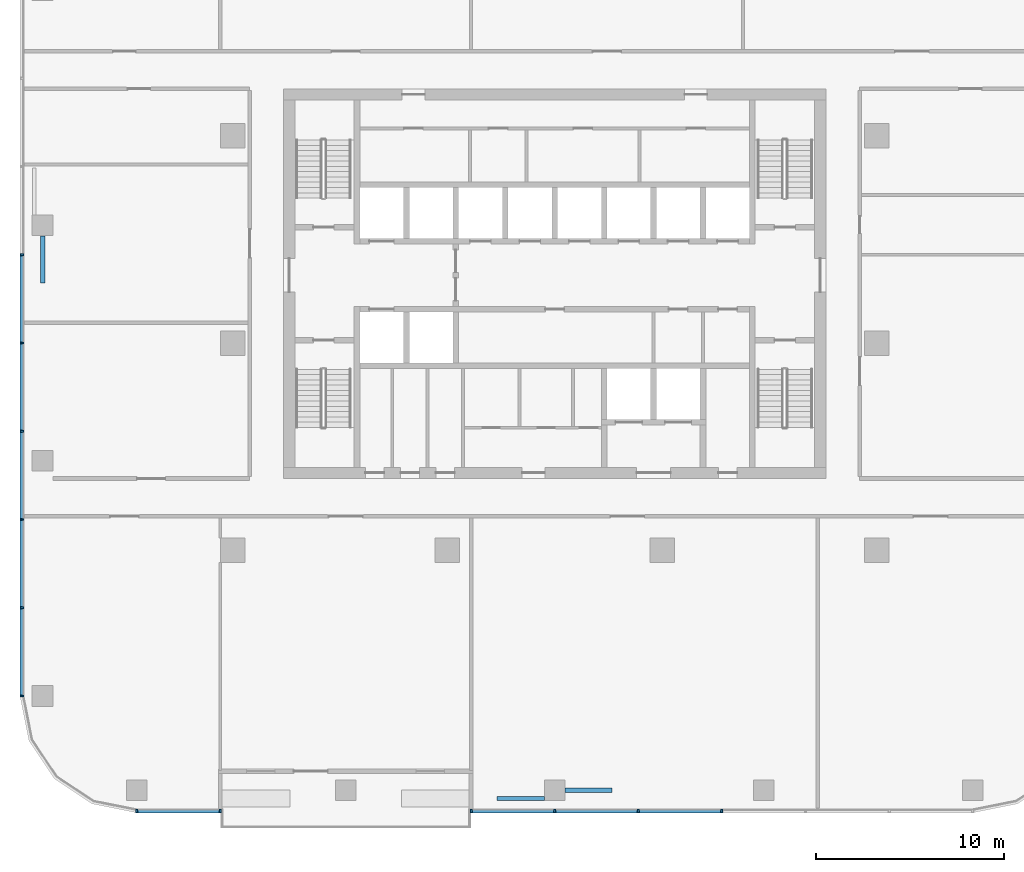
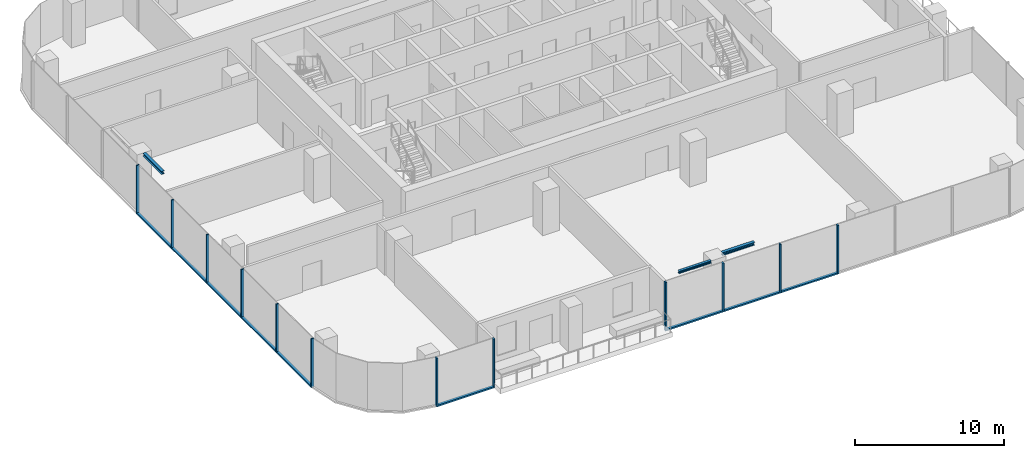
# One storey, part 2 of 14: 21 members, 3 beams, 3 elements without a shape of their own.
"""IFC4 building model written with IfcOpenShell, lengths in metres."""

from ifc_helpers import new_model, si_unit, direction, frame, origin, origin_2d, place, context, subcontext, project, spatial, rectangle, i_section, extrude, material, material_profile, profile_set, type_object, element, aggregate, save


model = new_model("IFC4")

# Units and contexts
model_context = context("Model", 3, precision=1e-05, world=origin(), true_north=direction((0.0, 1.0)))
body_context = subcontext(model_context, "Body", "Model", "MODEL_VIEW")
ifc_project = project(units=[si_unit("LENGTHUNIT", "METRE"), si_unit("AREAUNIT", "SQUARE_METRE"), si_unit("VOLUMEUNIT", "CUBIC_METRE"), si_unit("PLANEANGLEUNIT", "RADIAN"), si_unit("MASSUNIT", "GRAM", prefix="KILO")], contexts=[model_context])

# Site, building, storey
site_placement = place(None, origin())
site = spatial("IfcSite", under=ifc_project, at=site_placement, CompositionType="ELEMENT")
building_placement = place(site_placement, origin())
building = spatial("IfcBuilding", under=site, at=building_placement, Name="Mopane Tessera Tower", CompositionType="ELEMENT")
storey_placement = place(building_placement, frame((0.0, 0.0, 231.0)))
storey = spatial("IfcBuildingStorey", under=building, at=storey_placement, Name="L49", CompositionType="ELEMENT", Elevation=231.0)

# Curtain wall, members
ifc_material_1 = material(Name="Aluminium frame", Category="aluminium")
curtain_wall_type = type_object("IfcCurtainWallType", Name="Unitised curtain wall", PredefinedType="NOTDEFINED", material=ifc_material_1)
curtain_wall_1_placement = place(storey_placement, origin())
curtain_wall_1 = element("IfcCurtainWall", 1, at=curtain_wall_1_placement, inside=storey, type_object=curtain_wall_type, Name="e:cw:L49:S:0", PredefinedType="NOTDEFINED")
ifc_material_2 = material(Name="Aluminium frame", Category="aluminium")
ifc_material_profile_1 = material_profile(ifc_material_2, rectangle(XDim=0.10009765625, YDim=0.199951171875, at=origin_2d()))
ifc_profile_set_1 = profile_set([ifc_material_profile_1], Name="Aluminium frame")
member_type_1 = type_object("IfcMemberType", Name="Aluminium mullion 100 x 200", PredefinedType="MULLION", material=ifc_profile_set_1)
member_1_placement = place(storey_placement, frame((-22.199951171875, -24.85009765625, -0.39990234375), z_axis=(0.0, 0.0, 1.0), x_axis=(1.0, 0.0, 0.0)))
member_1 = element("IfcMember", 2, at=member_1_placement, type_object=member_type_1, Name="e:cw:L49:S:0:mu0", PredefinedType="MULLION", context=body_context, shape_type="SweptSolid", body=[
    extrude(rectangle(XDim=0.10009765625, YDim=0.199951171875, at=origin_2d()), origin(), (0.0, 0.0, 1.0), 4.0),
])
member_2_placement = place(storey_placement, frame((-17.760009765625, -24.85009765625, -0.39990234375), z_axis=(0.0, 0.0, 1.0), x_axis=(1.0, 0.0, 0.0)))
member_2 = element("IfcMember", 3, at=member_2_placement, type_object=member_type_1, Name="e:cw:L49:S:0:mu1", PredefinedType="MULLION", context=body_context, shape_type="SweptSolid", body=[
    extrude(rectangle(XDim=0.10009765625, YDim=0.199951171875, at=origin_2d()), origin(), (0.0, 0.0, 1.0), 4.0),
])

curtain_wall_2_placement = place(storey_placement, origin())
curtain_wall_2 = element("IfcCurtainWall", 4, at=curtain_wall_2_placement, inside=storey, type_object=curtain_wall_type, Name="e:cw:L49:S:4", PredefinedType="NOTDEFINED")
member_3_placement = place(storey_placement, frame((-4.43994140625, -24.85009765625, -0.39990234375), z_axis=(0.0, 0.0, 1.0), x_axis=(1.0, 0.0, 0.0)))
member_3 = element("IfcMember", 5, at=member_3_placement, type_object=member_type_1, Name="e:cw:L49:S:4:mu4", PredefinedType="MULLION", context=body_context, shape_type="SweptSolid", body=[
    extrude(rectangle(XDim=0.10009765625, YDim=0.199951171875, at=origin_2d()), origin(), (0.0, 0.0, 1.0), 4.0),
])
member_4_placement = place(storey_placement, frame((0.0, -24.85009765625, -0.39990234375), z_axis=(0.0, 0.0, 1.0), x_axis=(1.0, 0.0, 0.0)))
member_4 = element("IfcMember", 6, at=member_4_placement, type_object=member_type_1, Name="e:cw:L49:S:4:mu5", PredefinedType="MULLION", context=body_context, shape_type="SweptSolid", body=[
    extrude(rectangle(XDim=0.10009765625, YDim=0.199951171875, at=origin_2d()), origin(), (0.0, 0.0, 1.0), 4.0),
])
member_5_placement = place(storey_placement, frame((4.43994140625, -24.85009765625, -0.39990234375), z_axis=(0.0, 0.0, 1.0), x_axis=(1.0, 0.0, 0.0)))
member_5 = element("IfcMember", 7, at=member_5_placement, type_object=member_type_1, Name="e:cw:L49:S:4:mu6", PredefinedType="MULLION", context=body_context, shape_type="SweptSolid", body=[
    extrude(rectangle(XDim=0.10009765625, YDim=0.199951171875, at=origin_2d()), origin(), (0.0, 0.0, 1.0), 4.0),
])
member_6_placement = place(storey_placement, frame((8.8798828125, -24.85009765625, -0.39990234375), z_axis=(0.0, 0.0, 1.0), x_axis=(1.0, 0.0, 0.0)))
member_6 = element("IfcMember", 8, at=member_6_placement, type_object=member_type_1, Name="e:cw:L49:S:4:mu7", PredefinedType="MULLION", context=body_context, shape_type="SweptSolid", body=[
    extrude(rectangle(XDim=0.10009765625, YDim=0.199951171875, at=origin_2d()), origin(), (0.0, 0.0, 1.0), 4.0),
])

curtain_wall_3_placement = place(storey_placement, origin())
curtain_wall_3 = element("IfcCurtainWall", 9, at=curtain_wall_3_placement, inside=storey, type_object=curtain_wall_type, Name="e:cw:L49:W:0", PredefinedType="NOTDEFINED")
member_7_placement = place(storey_placement, frame((-28.300048828125, 4.6875, -0.39990234375), z_axis=(0.0, 0.0, 1.0), x_axis=(0.0, -1.0, 0.0)))
member_7 = element("IfcMember", 10, at=member_7_placement, type_object=member_type_1, Name="e:cw:L49:W:0:mu3", PredefinedType="MULLION", context=body_context, shape_type="SweptSolid", body=[
    extrude(rectangle(XDim=0.10009765625, YDim=0.199951171875, at=origin_2d()), origin(), (0.0, 0.0, 1.0), 4.0),
])
member_8_placement = place(storey_placement, frame((-28.300048828125, 0.0, -0.39990234375), z_axis=(0.0, 0.0, 1.0), x_axis=(0.0, -1.0, 0.0)))
member_8 = element("IfcMember", 11, at=member_8_placement, type_object=member_type_1, Name="e:cw:L49:W:0:mu4", PredefinedType="MULLION", context=body_context, shape_type="SweptSolid", body=[
    extrude(rectangle(XDim=0.10009765625, YDim=0.199951171875, at=origin_2d()), origin(), (0.0, 0.0, 1.0), 4.0),
])
member_9_placement = place(storey_placement, frame((-28.300048828125, -4.6875, -0.39990234375), z_axis=(0.0, 0.0, 1.0), x_axis=(0.0, -1.0, 0.0)))
member_9 = element("IfcMember", 12, at=member_9_placement, type_object=member_type_1, Name="e:cw:L49:W:0:mu5", PredefinedType="MULLION", context=body_context, shape_type="SweptSolid", body=[
    extrude(rectangle(XDim=0.10009765625, YDim=0.199951171875, at=origin_2d()), origin(), (0.0, 0.0, 1.0), 4.0),
])
member_10_placement = place(storey_placement, frame((-28.300048828125, -9.375, -0.39990234375), z_axis=(0.0, 0.0, 1.0), x_axis=(0.0, -1.0, 0.0)))
member_10 = element("IfcMember", 13, at=member_10_placement, type_object=member_type_1, Name="e:cw:L49:W:0:mu6", PredefinedType="MULLION", context=body_context, shape_type="SweptSolid", body=[
    extrude(rectangle(XDim=0.10009765625, YDim=0.199951171875, at=origin_2d()), origin(), (0.0, 0.0, 1.0), 4.0),
])
member_11_placement = place(storey_placement, frame((-28.300048828125, -14.0625, -0.39990234375), z_axis=(0.0, 0.0, 1.0), x_axis=(0.0, -1.0, 0.0)))
member_11 = element("IfcMember", 14, at=member_11_placement, type_object=member_type_1, Name="e:cw:L49:W:0:mu7", PredefinedType="MULLION", context=body_context, shape_type="SweptSolid", body=[
    extrude(rectangle(XDim=0.10009765625, YDim=0.199951171875, at=origin_2d()), origin(), (0.0, 0.0, 1.0), 4.0),
])
member_12_placement = place(storey_placement, frame((-28.300048828125, -18.75, -0.39990234375), z_axis=(0.0, 0.0, 1.0), x_axis=(0.0, -1.0, 0.0)))
member_12 = element("IfcMember", 15, at=member_12_placement, type_object=member_type_1, Name="e:cw:L49:W:0:mu8", PredefinedType="MULLION", context=body_context, shape_type="SweptSolid", body=[
    extrude(rectangle(XDim=0.10009765625, YDim=0.199951171875, at=origin_2d()), origin(), (0.0, 0.0, 1.0), 4.0),
])

# Member
ifc_material_3 = material(Name="Aluminium frame", Category="aluminium")
ifc_material_profile_2 = material_profile(ifc_material_3, rectangle(XDim=0.199951171875, YDim=0.1201171875, at=origin_2d()))
ifc_profile_set_2 = profile_set([ifc_material_profile_2], Name="Aluminium frame")
member_type_2 = type_object("IfcMemberType", Name="Aluminium transom 200 x 120", PredefinedType="USERDEFINED", material=ifc_profile_set_2)
member_13_placement = place(storey_placement, frame((-22.14990234375, -24.85009765625, -0.340087890625), z_axis=(1.0, 0.0, 0.0), x_axis=(0.0, 1.0, 0.0)))
member_13 = element("IfcMember", 16, at=member_13_placement, type_object=member_type_2, Name="e:cw:L49:S:0:tr0", ObjectType="TRANSOM", PredefinedType="USERDEFINED", context=body_context, shape_type="SweptSolid", body=[
    extrude(rectangle(XDim=0.199951171875, YDim=0.1201171875, at=origin_2d()), origin(), (0.0, 0.0, 1.0), 4.33984375),
])

aggregate(curtain_wall_1, [member_1, member_2, member_13])

member_14_placement = place(storey_placement, frame((-4.389892578125, -24.85009765625, -0.340087890625), z_axis=(1.0, 0.0, 0.0), x_axis=(0.0, 1.0, 0.0)))
member_14 = element("IfcMember", 17, at=member_14_placement, type_object=member_type_2, Name="e:cw:L49:S:4:tr4", ObjectType="TRANSOM", PredefinedType="USERDEFINED", context=body_context, shape_type="SweptSolid", body=[
    extrude(rectangle(XDim=0.199951171875, YDim=0.1201171875, at=origin_2d()), origin(), (0.0, 0.0, 1.0), 4.33984375),
])

member_15_placement = place(storey_placement, frame((0.050048828125, -24.85009765625, -0.340087890625), z_axis=(1.0, 0.0, 0.0), x_axis=(0.0, 1.0, 0.0)))
member_15 = element("IfcMember", 18, at=member_15_placement, type_object=member_type_2, Name="e:cw:L49:S:4:tr5", ObjectType="TRANSOM", PredefinedType="USERDEFINED", context=body_context, shape_type="SweptSolid", body=[
    extrude(rectangle(XDim=0.199951171875, YDim=0.1201171875, at=origin_2d()), origin(), (0.0, 0.0, 1.0), 4.33984375),
])

member_16_placement = place(storey_placement, frame((4.489990234375, -24.85009765625, -0.340087890625), z_axis=(1.0, 0.0, 0.0), x_axis=(0.0, 1.0, 0.0)))
member_16 = element("IfcMember", 19, at=member_16_placement, type_object=member_type_2, Name="e:cw:L49:S:4:tr6", ObjectType="TRANSOM", PredefinedType="USERDEFINED", context=body_context, shape_type="SweptSolid", body=[
    extrude(rectangle(XDim=0.199951171875, YDim=0.1201171875, at=origin_2d()), origin(), (0.0, 0.0, 1.0), 4.340087890625),
])

aggregate(curtain_wall_2, [member_3, member_4, member_5, member_6, member_14, member_15, member_16])

member_17_placement = place(storey_placement, frame((-28.300048828125, 4.637451171875, -0.340087890625), z_axis=(0.0, -1.0, 0.0), x_axis=(1.0, 0.0, 0.0)))
member_17 = element("IfcMember", 20, at=member_17_placement, type_object=member_type_2, Name="e:cw:L49:W:0:tr3", ObjectType="TRANSOM", PredefinedType="USERDEFINED", context=body_context, shape_type="SweptSolid", body=[
    extrude(rectangle(XDim=0.199951171875, YDim=0.1201171875, at=origin_2d()), origin(), (0.0, 0.0, 1.0), 4.58740234375),
])

member_18_placement = place(storey_placement, frame((-28.300048828125, -0.050048828125, -0.340087890625), z_axis=(0.0, -1.0, 0.0), x_axis=(1.0, 0.0, 0.0)))
member_18 = element("IfcMember", 21, at=member_18_placement, type_object=member_type_2, Name="e:cw:L49:W:0:tr4", ObjectType="TRANSOM", PredefinedType="USERDEFINED", context=body_context, shape_type="SweptSolid", body=[
    extrude(rectangle(XDim=0.199951171875, YDim=0.1201171875, at=origin_2d()), origin(), (0.0, 0.0, 1.0), 4.58740234375),
])

member_19_placement = place(storey_placement, frame((-28.300048828125, -4.737548828125, -0.340087890625), z_axis=(0.0, -1.0, 0.0), x_axis=(1.0, 0.0, 0.0)))
member_19 = element("IfcMember", 22, at=member_19_placement, type_object=member_type_2, Name="e:cw:L49:W:0:tr5", ObjectType="TRANSOM", PredefinedType="USERDEFINED", context=body_context, shape_type="SweptSolid", body=[
    extrude(rectangle(XDim=0.199951171875, YDim=0.1201171875, at=origin_2d()), origin(), (0.0, 0.0, 1.0), 4.58740234375),
])

member_20_placement = place(storey_placement, frame((-28.300048828125, -9.425048828125, -0.340087890625), z_axis=(0.0, -1.0, 0.0), x_axis=(1.0, 0.0, 0.0)))
member_20 = element("IfcMember", 23, at=member_20_placement, type_object=member_type_2, Name="e:cw:L49:W:0:tr6", ObjectType="TRANSOM", PredefinedType="USERDEFINED", context=body_context, shape_type="SweptSolid", body=[
    extrude(rectangle(XDim=0.199951171875, YDim=0.1201171875, at=origin_2d()), origin(), (0.0, 0.0, 1.0), 4.58740234375),
])

member_21_placement = place(storey_placement, frame((-28.300048828125, -14.112548828125, -0.340087890625), z_axis=(0.0, -1.0, 0.0), x_axis=(1.0, 0.0, 0.0)))
member_21 = element("IfcMember", 24, at=member_21_placement, type_object=member_type_2, Name="e:cw:L49:W:0:tr7", ObjectType="TRANSOM", PredefinedType="USERDEFINED", context=body_context, shape_type="SweptSolid", body=[
    extrude(rectangle(XDim=0.199951171875, YDim=0.1201171875, at=origin_2d()), origin(), (0.0, 0.0, 1.0), 4.58740234375),
])

aggregate(curtain_wall_3, [member_7, member_8, member_9, member_10, member_11, member_12, member_17, member_18, member_19, member_20, member_21])

# Beams
ifc_material_4 = material(Name="Structural steel S460", Category="steel")
ifc_material_profile_3 = material_profile(ifc_material_4, i_section(OverallWidth=0.239990234375, OverallDepth=0.239990234375, WebThickness=0.010009765625, FlangeThickness=0.01708984375, FilletRadius=0.02099609375, at=origin_2d()))
ifc_profile_set_3 = profile_set([ifc_material_profile_3], Name="Structural steel S460")
beam_type_1 = type_object("IfcBeamType", Name="Terrace spandrel beam HE 240 B", PredefinedType="SPANDREL", material=ifc_profile_set_3)
for number, where, z_axis, x_axis, name in (
    (25, (0.552978515625, -23.75, 3.47998046875), (1.0, 0.0, 0.0), (0.0, 1.0, 0.0), "Terrace spandrel beam N1 L50"),
    (26, (-27.199951171875, 5.697021484375, 3.47998046875), (0.0, -1.0, 0.0), (1.0, 0.0, 0.0), "Terrace spandrel beam N3 L50"),
):
    element("IfcBeam", number, at=place(storey_placement, frame(where, z_axis=z_axis, x_axis=x_axis)), inside=storey, type_object=beam_type_1, Name=name, PredefinedType="SPANDREL", context=body_context, shape_type="SweptSolid", body=[
        extrude(i_section(OverallWidth=0.239990234375, OverallDepth=0.239990234375, WebThickness=0.010009765625, FlangeThickness=0.01708984375, FilletRadius=0.02099609375, at=origin_2d()), origin(), (0.0, 0.0, 1.0), 2.5),
    ])
ifc_material_5 = material(Name="Structural steel S460", Category="steel")
ifc_material_profile_4 = material_profile(ifc_material_5, i_section(OverallWidth=0.199951171875, OverallDepth=0.199951171875, WebThickness=0.009033203125, FlangeThickness=0.014892578125, FilletRadius=0.01806640625, at=origin_2d()))
ifc_profile_set_4 = profile_set([ifc_material_profile_4], Name="Structural steel S460")
beam_type_2 = type_object("IfcBeamType", Name="Terrace trimmer beam HE 200 B", PredefinedType="BEAM", material=ifc_profile_set_4)
beam_placement = place(storey_placement, frame((-0.552978515625, -24.18994140625, 3.5), z_axis=(-1.0, 0.0, 0.0), x_axis=(0.0, -1.0, 0.0)))
element("IfcBeam", 27, at=beam_placement, inside=storey, type_object=beam_type_2, Name="Terrace trimmer beam N1 L50", PredefinedType="BEAM", context=body_context, shape_type="SweptSolid", body=[
    extrude(i_section(OverallWidth=0.199951171875, OverallDepth=0.199951171875, WebThickness=0.009033203125, FlangeThickness=0.014892578125, FilletRadius=0.01806640625, at=origin_2d()), origin(), (0.0, 0.0, 1.0), 2.5),
])

save(model, "model.ifc")
